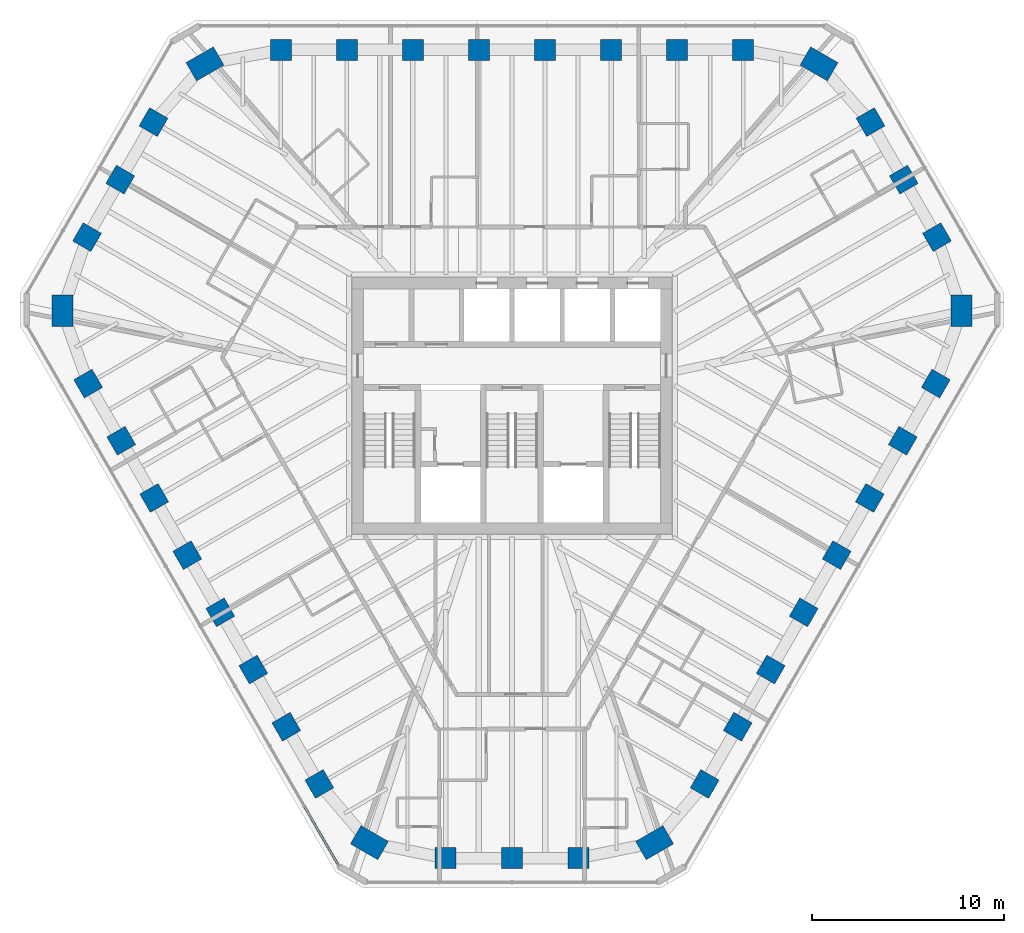
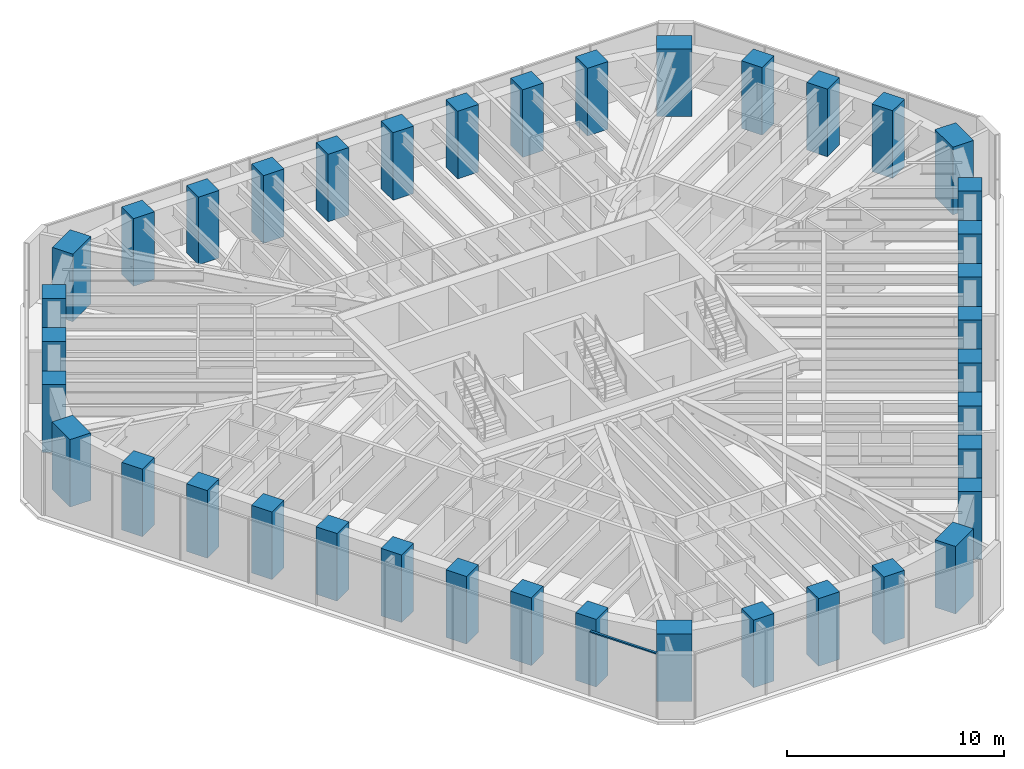
# One storey, part 1 of 14: 39 columns, 1 member, 1 element without a shape of its own.
"""IFC4 building model written with IfcOpenShell, lengths in metres."""

import ifcopenshell
import ifcopenshell.guid

model = None  # the IFC model being written
_history = None  # IfcOwnerHistory: only IFC2X3 demands one
_inside = {}  # id of a spatial element -> (the spatial element, [elements in it])
_under = {}  # id of a project, library or spatial element -> (it, [spatial elements below it])
_declared = {}  # id of a project -> (the project, [libraries it declares])
_typed = {}  # id of a type object -> (the type object, [elements of that type])
_made_of = {}  # id of a material, layer set ... -> (it, [elements and type objects made of it])


def new_model(schema):
    """Start an empty IFC model of exactly this schema.

    Asked for "IFC4X3", IfcOpenShell would pick the latest addendum, in which some entities
    have other attributes; the version numbers below select the first issue.
    IFC2X3 requires an IfcOwnerHistory on every rooted entity: one is made here for all.
    """
    global model, _history
    if schema == "IFC4X3":
        model = ifcopenshell.file(schema_version=(4, 3, 0, 0))
    else:
        model = ifcopenshell.file(schema=schema)
    _inside.clear()
    _under.clear()
    _declared.clear()
    _typed.clear()
    _made_of.clear()
    _history = None
    if model.schema == "IFC2X3":
        org = make("IfcOrganization", Name="unknown")
        user = make(
            "IfcPersonAndOrganization",
            ThePerson=make("IfcPerson", FamilyName="unknown"),
            TheOrganization=org,
        )
        app = make(
            "IfcApplication",
            ApplicationDeveloper=org,
            Version="unknown",
            ApplicationFullName="unknown",
            ApplicationIdentifier="unknown",
        )
        _history = make(
            "IfcOwnerHistory",
            OwningUser=user,
            OwningApplication=app,
            ChangeAction="ADDED",
            CreationDate=0,
        )
    return model


def make(cls, **values):
    """One entity of the class cls with the attributes given. An attribute that is None is left unset."""
    return model.create_entity(
        cls, **{name: value for name, value in values.items() if value is not None}
    )


def rooted(cls, **values):
    """An entity with a GlobalId (a new one), such as an element, a storey or a relation."""
    return make(cls, GlobalId=ifcopenshell.guid.new(), OwnerHistory=_history, **values)


def si_unit(unit_type, name, prefix=None):
    """IfcSIUnit, for example si_unit("LENGTHUNIT", "METRE", prefix="MILLI")."""
    return make("IfcSIUnit", UnitType=unit_type, Prefix=prefix, Name=name)


def assignment(units):
    """IfcUnitAssignment: the units of a project."""
    return None if units is None else make("IfcUnitAssignment", Units=units)


def point(xyz):
    """IfcCartesianPoint."""
    return None if xyz is None else make("IfcCartesianPoint", Coordinates=xyz)


def direction(xyz):
    """IfcDirection."""
    return None if xyz is None else make("IfcDirection", DirectionRatios=xyz)


def frame(location, z_axis=None, x_axis=None):
    """IfcAxis2Placement3D, a coordinate frame: its origin and axes. An axis left out is left unset."""
    return make(
        "IfcAxis2Placement3D",
        Location=point(location),
        Axis=direction(z_axis),
        RefDirection=direction(x_axis),
    )


def frame_2d(location, x_axis=None):
    """IfcAxis2Placement2D, a coordinate frame in the plane: its origin and x axis."""
    return make(
        "IfcAxis2Placement2D", Location=point(location), RefDirection=direction(x_axis)
    )


def origin():
    """The frame at (0, 0, 0) with its axes left unset."""
    return frame((0.0, 0.0, 0.0))


def origin_2d():
    """The frame at (0, 0) in the plane with its x axis left unset."""
    return frame_2d((0.0, 0.0))


def place(relative_to, where):
    """IfcLocalPlacement: puts the frame where relative to a parent placement (None: the world)."""
    return make(
        "IfcLocalPlacement", PlacementRelTo=relative_to, RelativePlacement=where
    )


def context(
    kind, dimensions, precision=None, world=None, true_north=None, identifier=None
):
    """IfcGeometricRepresentationContext, for example the 3D "Model" context."""
    return make(
        "IfcGeometricRepresentationContext",
        ContextIdentifier=identifier,
        ContextType=kind,
        CoordinateSpaceDimension=dimensions,
        Precision=precision,
        WorldCoordinateSystem=world,
        TrueNorth=true_north,
    )


def subcontext(parent, identifier, kind, view, scale=None):
    """IfcGeometricRepresentationSubContext, for example "Body" below "Model"."""
    return make(
        "IfcGeometricRepresentationSubContext",
        ContextIdentifier=identifier,
        ContextType=kind,
        ParentContext=parent,
        TargetScale=scale,
        TargetView=view,
    )


def project(units=None, contexts=None):
    """IfcProject with its units and contexts."""
    return rooted(
        "IfcProject",
        Name="project",
        RepresentationContexts=contexts,
        UnitsInContext=assignment(units),
    )


def spatial(cls, under=None, at=None, **own):
    """A site, building, storey or space (cls), placed at a placement, below another one or the project."""
    s = rooted(cls, ObjectPlacement=at, **own)
    if under is not None:
        _under.setdefault(under.id(), (under, []))[1].append(s)
    return s


def profile(cls, at=None, kind="AREA", **sizes):
    """A parametric profile (cls). Its sizes go by their IFC names, for example OverallWidth=200.0."""
    return make(cls, ProfileType=kind, Position=at, **sizes)


def rectangle(**sizes):
    """IfcRectangleProfileDef."""
    return profile("IfcRectangleProfileDef", **sizes)


def extrude(swept, where, along, depth):
    """IfcExtrudedAreaSolid: the profile swept, set in the frame where, extruded along a direction by depth."""
    return make(
        "IfcExtrudedAreaSolid",
        SweptArea=swept,
        Position=where,
        ExtrudedDirection=direction(along),
        Depth=depth,
    )


def shape(context_of_items, identifier, shape_type, items):
    """IfcShapeRepresentation: the items that make up one representation, for example the "Body"."""
    return make(
        "IfcShapeRepresentation",
        ContextOfItems=context_of_items,
        RepresentationIdentifier=identifier,
        RepresentationType=shape_type,
        Items=items,
    )


def material(Name=None, Category=None):
    """IfcMaterial."""
    return make("IfcMaterial", Name=Name, Category=Category)


def material_profile(
    of_material, cross_section, Name=None, Category=None, Priority=None
):
    """IfcMaterialProfile: a cross section and its material."""
    return make(
        "IfcMaterialProfile",
        Name=Name,
        Material=of_material,
        Profile=cross_section,
        Priority=Priority,
        Category=Category,
    )


def profile_set(profiles, Name=None, composite=None):
    """IfcMaterialProfileSet."""
    return make(
        "IfcMaterialProfileSet",
        Name=Name,
        MaterialProfiles=profiles,
        CompositeProfile=composite,
    )


def made_of(thing, what):
    """Note that an element or type object is made of a material, layer set ...; save() writes the relation."""
    if what is not None:
        _made_of.setdefault(what.id(), (what, []))[1].append(thing)
    return thing


def type_object(cls, material=None, **own):
    """A type object (cls), such as IfcWallType, which elements share."""
    return made_of(rooted(cls, **own), material)


def element(
    cls,
    number,
    at=None,
    inside=None,
    cuts=None,
    type_object=None,
    material=None,
    context=None,
    identifier="Body",
    shape_type=None,
    held_by="IfcProductDefinitionShape",
    body=None,
    shapes=None,
    **own,
):
    """One element of the class cls, such as IfcWall. Its Tag is "e" and its number.

    at: its placement. inside: the storey or other place that contains it. cuts: it is an
    opening in that element (IfcRelVoidsElement). A single representation is given by context,
    identifier, shape_type and body (its items); several are given by shapes. held_by: the class
    of the entity that holds the representations. save() writes the other relations.
    """
    e = rooted(cls, Tag="e%d" % number, ObjectPlacement=at, **own)
    if body is not None:
        shapes = [shape(context, identifier, shape_type, body)]
    if shapes is not None:
        e.Representation = make(held_by, Representations=shapes)
    if inside is not None:
        _inside.setdefault(inside.id(), (inside, []))[1].append(e)
    if cuts is not None:
        rooted(
            "IfcRelVoidsElement", RelatingBuildingElement=cuts, RelatedOpeningElement=e
        )
    if type_object is not None:
        _typed.setdefault(type_object.id(), (type_object, []))[1].append(e)
    return made_of(e, material)


def aggregate(whole, parts):
    """IfcRelAggregates: a whole, such as a stair, and the parts it consists of."""
    return rooted("IfcRelAggregates", RelatingObject=whole, RelatedObjects=parts)


def save(model, path):
    """Write the relations noted so far, then the file.

    IfcRelAggregates (storeys below a building ...), IfcRelContainedInSpatialStructure (elements
    in a storey), IfcRelDefinesByType, IfcRelAssociatesMaterial and IfcRelDeclares: one each for
    every whole, place, type object, material and project.
    """
    for whole, parts in _under.values():
        aggregate(whole, parts)
    for where, things in _inside.values():
        rooted(
            "IfcRelContainedInSpatialStructure",
            RelatedElements=things,
            RelatingStructure=where,
        )
    for kind, things in _typed.values():
        rooted("IfcRelDefinesByType", RelatedObjects=things, RelatingType=kind)
    for what, things in _made_of.values():
        rooted("IfcRelAssociatesMaterial", RelatedObjects=things, RelatingMaterial=what)
    for by, libraries in _declared.values():
        rooted("IfcRelDeclares", RelatingContext=by, RelatedDefinitions=libraries)
    model.write(path)


model = new_model("IFC4")

# Units and contexts
model_context = context("Model", 3, precision=1e-05, world=origin(), true_north=direction((0.0, 1.0)))
body_context = subcontext(model_context, "Body", "Model", "MODEL_VIEW")
ifc_project = project(units=[si_unit("LENGTHUNIT", "METRE"), si_unit("AREAUNIT", "SQUARE_METRE"), si_unit("VOLUMEUNIT", "CUBIC_METRE"), si_unit("PLANEANGLEUNIT", "RADIAN"), si_unit("MASSUNIT", "GRAM", prefix="KILO")], contexts=[model_context])

# Site, building, storey
site_placement = place(None, origin())
site = spatial("IfcSite", under=ifc_project, at=site_placement, CompositionType="ELEMENT")
building_placement = place(site_placement, origin())
building = spatial("IfcBuilding", under=site, at=building_placement, Name="Sandreach Pilgrim Tower", CompositionType="ELEMENT")
storey_placement = place(building_placement, frame((0.0, 0.0, 264.60009765625)))
storey = spatial("IfcBuildingStorey", under=building, at=storey_placement, Name="L66", CompositionType="ELEMENT", Elevation=264.60009765625)

# Columns
ifc_material_1 = material(Name="Concrete 10000 psi", Category="concrete")
ifc_material_profile_1 = material_profile(ifc_material_1, rectangle(XDim=1.10009765625, YDim=1.10009765625, at=origin_2d()), Name="RC1100X1100")
ifc_profile_set_1 = profile_set([ifc_material_profile_1], Name="Concrete 10000 psi")
column_type_1 = type_object("IfcColumnType", Name="Tube column RC1100X1100", PredefinedType="COLUMN", material=ifc_profile_set_1)
for number, where, z_axis, x_axis, name in (
    (1, (-12.0576171875, 18.56640625, 0.0), (0.0, 0.0, 1.0), (0.0, 1.0, 0.0), "COL L66 T01"),
    (2, (-8.612548828125, 18.56640625, 0.0), (0.0, 0.0, 1.0), (0.0, 1.0, 0.0), "COL L66 T02"),
    (3, (-5.16748046875, 18.56640625, 0.0), (0.0, 0.0, 1.0), (0.0, 1.0, 0.0), "COL L66 T03"),
    (4, (-1.722412109375, 18.56640625, 0.0), (0.0, 0.0, 1.0), (0.0, 1.0, 0.0), "COL L66 T04"),
    (5, (1.722412109375, 18.56640625, 0.0), (0.0, 0.0, 1.0), (0.0, 1.0, 0.0), "COL L66 T05"),
    (6, (5.16748046875, 18.56640625, 0.0), (0.0, 0.0, 1.0), (0.0, 1.0, 0.0), "COL L66 T06"),
    (7, (8.612548828125, 18.56640625, 0.0), (0.0, 0.0, 1.0), (0.0, 1.0, 0.0), "COL L66 T07"),
    (8, (12.0576171875, 18.56640625, 0.0), (0.0, 0.0, 1.0), (0.0, 1.0, 0.0), "COL L66 T08"),
    (9, (18.70361328125, 14.80029296875, 0.0), (0.0, 0.0, 1.0), (0.866025403784, 0.5, 0.0), "COL L66 T10"),
    (10, (20.4365234375, 11.799072265625, 0.0), (0.0, 0.0, 1.0), (0.866025403784, 0.5, 0.0), "COL L66 T11"),
    (11, (22.169189453125, 8.7978515625, 0.0), (0.0, 0.0, 1.0), (0.866025403784, 0.5, 0.0), "COL L66 T12"),
    (12, (22.10791015625, 1.158935546875, 0.0), (0.0, 0.0, 1.0), (0.866025403784, -0.5, 0.0), "COL L66 T14"),
    (13, (20.38525390625, -1.824462890625, 0.0), (0.0, 0.0, 1.0), (0.866025403784, -0.5, 0.0), "COL L66 T15"),
    (14, (18.662841796875, -4.80810546875, 0.0), (0.0, 0.0, 1.0), (0.866025403784, -0.5, 0.0), "COL L66 T16"),
    (15, (16.940185546875, -7.79150390625, 0.0), (0.0, 0.0, 1.0), (0.866025403784, -0.5, 0.0), "COL L66 T17"),
    (16, (15.2177734375, -10.77490234375, 0.0), (0.0, 0.0, 1.0), (0.866025403784, -0.5, 0.0), "COL L66 T18"),
    (17, (13.4951171875, -13.758544921875, 0.0), (0.0, 0.0, 1.0), (0.866025403784, -0.5, 0.0), "COL L66 T19"),
    (18, (11.772705078125, -16.741943359375, 0.0), (0.0, 0.0, 1.0), (0.866025403784, -0.5, 0.0), "COL L66 T20"),
    (19, (10.05029296875, -19.725341796875, 0.0), (0.0, 0.0, 1.0), (0.866025403784, -0.5, 0.0), "COL L66 T21"),
    (20, (3.465576171875, -23.59814453125, 0.0), (0.0, 0.0, 1.0), (0.0, -1.0, 0.0), "COL L66 T23"),
    (21, (0.0, -23.59814453125, 0.0), (0.0, 0.0, 1.0), (0.0, -1.0, 0.0), "COL L66 T24"),
    (22, (-3.465576171875, -23.59814453125, 0.0), (0.0, 0.0, 1.0), (0.0, -1.0, 0.0), "COL L66 T25"),
    (23, (-10.05029296875, -19.725341796875, 0.0), (0.0, 0.0, 1.0), (-0.866025403784, -0.5, 0.0), "COL L66 T27"),
    (24, (-11.772705078125, -16.741943359375, 0.0), (0.0, 0.0, 1.0), (-0.866025403784, -0.5, 0.0), "COL L66 T28"),
    (25, (-13.4951171875, -13.758544921875, 0.0), (0.0, 0.0, 1.0), (-0.866025403784, -0.5, 0.0), "COL L66 T29"),
    (26, (-15.2177734375, -10.77490234375, 0.0), (0.0, 0.0, 1.0), (-0.866025403784, -0.5, 0.0), "COL L66 T30"),
    (27, (-16.940185546875, -7.79150390625, 0.0), (0.0, 0.0, 1.0), (-0.866025403784, -0.5, 0.0), "COL L66 T31"),
    (28, (-18.662841796875, -4.80810546875, 0.0), (0.0, 0.0, 1.0), (-0.866025403784, -0.5, 0.0), "COL L66 T32"),
    (29, (-20.38525390625, -1.824462890625, 0.0), (0.0, 0.0, 1.0), (-0.866025403784, -0.5, 0.0), "COL L66 T33"),
    (30, (-22.10791015625, 1.158935546875, 0.0), (0.0, 0.0, 1.0), (-0.866025403784, -0.5, 0.0), "COL L66 T34"),
    (31, (-22.169189453125, 8.7978515625, 0.0), (0.0, 0.0, 1.0), (-0.866025403784, 0.5, 0.0), "COL L66 T36"),
    (32, (-20.4365234375, 11.799072265625, 0.0), (0.0, 0.0, 1.0), (-0.866025403784, 0.5, 0.0), "COL L66 T37"),
    (33, (-18.70361328125, 14.80029296875, 0.0), (0.0, 0.0, 1.0), (-0.866025403784, 0.5, 0.0), "COL L66 T38"),
):
    element("IfcColumn", number, at=place(storey_placement, frame(where, z_axis=z_axis, x_axis=x_axis)), inside=storey, type_object=column_type_1, Name=name, PredefinedType="COLUMN", context=body_context, shape_type="SweptSolid", body=[
        extrude(rectangle(XDim=1.10009765625, YDim=1.10009765625, at=origin_2d()), origin(), (0.0, 0.0, 1.0), 3.7998046875),
    ])
ifc_material_2 = material(Name="Concrete 10000 psi", Category="concrete")
ifc_material_profile_2 = material_profile(ifc_material_2, rectangle(XDim=1.10009765625, YDim=1.64990234375, at=origin_2d()), Name="RC1100X1650")
ifc_profile_set_2 = profile_set([ifc_material_profile_2], Name="Concrete 10000 psi")
column_type_2 = type_object("IfcColumnType", Name="Tube corner pier RC1100X1650", PredefinedType="COLUMN", material=ifc_profile_set_2)
for number, where, z_axis, x_axis, name in (
    (34, (16.0166015625, 17.837158203125, 0.0), (0.0, 0.0, 1.0), (0.5, 0.866025403784, 0.0), "COL L66 T09"),
    (35, (23.455810546875, 4.952392578125, 0.0), (0.0, 0.0, 1.0), (1.0, 0.0, 0.0), "COL L66 T13"),
    (36, (7.439208984375, -22.78955078125, 0.0), (0.0, 0.0, 1.0), (0.5, -0.866025403784, 0.0), "COL L66 T22"),
    (37, (-7.439208984375, -22.78955078125, 0.0), (0.0, 0.0, 1.0), (-0.5, -0.866025403784, 0.0), "COL L66 T26"),
    (38, (-23.455810546875, 4.952392578125, 0.0), (0.0, 0.0, 1.0), (-1.0, 0.0, 0.0), "COL L66 T35"),
    (39, (-16.0166015625, 17.837158203125, 0.0), (0.0, 0.0, 1.0), (-0.5, 0.866025403784, 0.0), "COL L66 T39"),
):
    element("IfcColumn", number, at=place(storey_placement, frame(where, z_axis=z_axis, x_axis=x_axis)), inside=storey, type_object=column_type_2, Name=name, PredefinedType="COLUMN", context=body_context, shape_type="SweptSolid", body=[
        extrude(rectangle(XDim=1.10009765625, YDim=1.64990234375, at=origin_2d()), origin(), (0.0, 0.0, 1.0), 3.7998046875),
    ])

# Curtain wall, member
ifc_material_3 = material(Name="Aluminium framed curtain wall", Category="aluminium")
curtain_wall_type = type_object("IfcCurtainWallType", Name="Suite tower curtain wall", PredefinedType="NOTDEFINED", material=ifc_material_3)
curtain_wall_placement = place(storey_placement, origin())
curtain_wall = element("IfcCurtainWall", 40, at=curtain_wall_placement, inside=storey, type_object=curtain_wall_type, Name="CW-4 L66 SW", PredefinedType="NOTDEFINED")
ifc_material_4 = material(Name="Aluminium extrusion", Category="aluminium")
ifc_material_profile_3 = material_profile(ifc_material_4, rectangle(XDim=0.1201171875, YDim=0.070068359375, at=origin_2d()), Name="CW-4T 120X70")
ifc_profile_set_3 = profile_set([ifc_material_profile_3], Name="Aluminium extrusion")
member_type = type_object("IfcMemberType", Name="CW-4 transom", PredefinedType="USERDEFINED", material=ifc_profile_set_3)
member_placement = place(storey_placement, frame((-9.051025390625, -23.97607421875, 3.60498046875), z_axis=(-0.499997709859, 0.866026725994, 0.0), x_axis=(-0.866026725994, -0.499997709859, 0.0)))
member = element("IfcMember", 41, at=member_placement, type_object=member_type, Name="CW-4 head transom 1", ObjectType="TRANSOM", PredefinedType="USERDEFINED", context=body_context, shape_type="SweptSolid", body=[
    extrude(rectangle(XDim=0.1201171875, YDim=0.070068359375, at=origin_2d()), origin(), (0.0, 0.0, 1.0), 3.53173828125),
])
aggregate(curtain_wall, [member])

save(model, "model.ifc")
